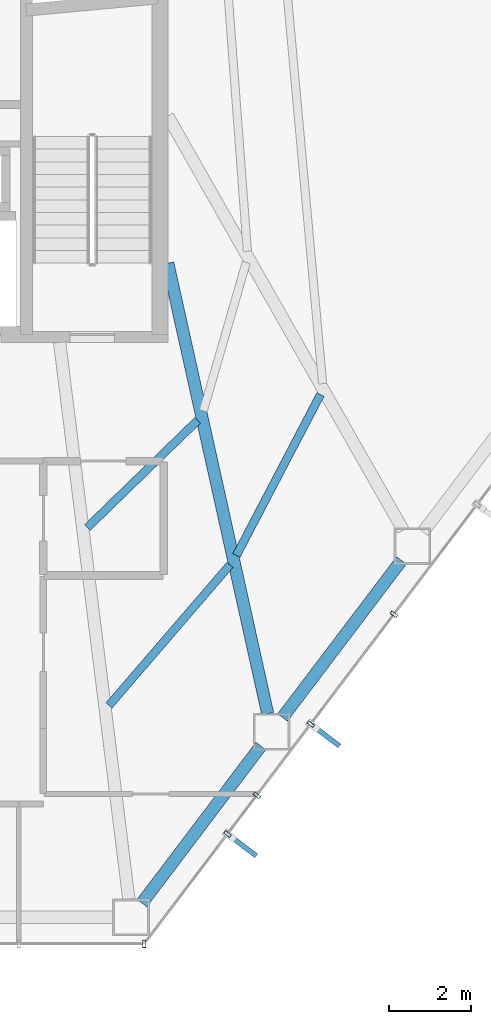
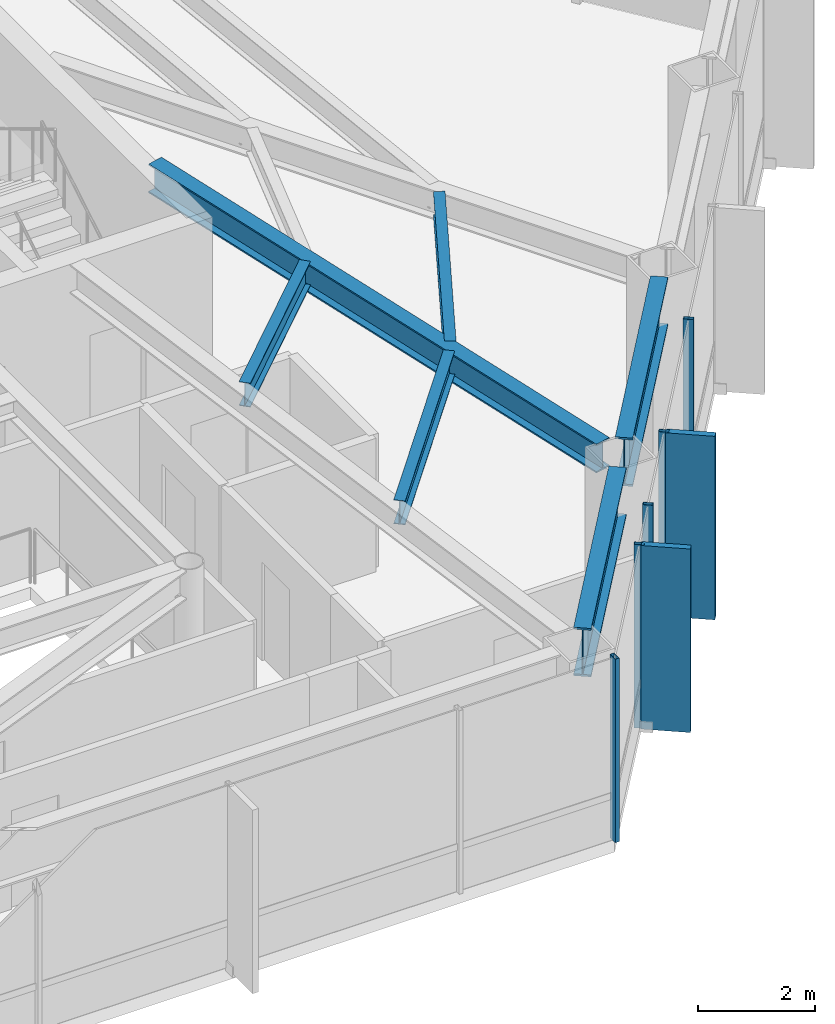
# One storey, part 14 of 24: 7 members, 6 beams, 2 elements without a shape of their own.
"""IFC4 building model written with IfcOpenShell, lengths in metres."""

from ifc_helpers import new_model, si_unit, direction, frame, origin, origin_2d, place, context, subcontext, project, spatial, rectangle, hollow_rectangle, i_section, extrude, material, layer, layer_set, material_profile, profile_set, type_object, element, aggregate, save


model = new_model("IFC4")

# Units and contexts
model_context = context("Model", 3, precision=1e-05, world=origin(), true_north=direction((0.0, 1.0)))
body_context = subcontext(model_context, "Body", "Model", "MODEL_VIEW")
ifc_project = project(units=[si_unit("LENGTHUNIT", "METRE"), si_unit("AREAUNIT", "SQUARE_METRE"), si_unit("VOLUMEUNIT", "CUBIC_METRE"), si_unit("PLANEANGLEUNIT", "RADIAN"), si_unit("MASSUNIT", "GRAM", prefix="KILO")], contexts=[model_context])

# Site, building, storey
site_placement = place(None, origin())
site = spatial("IfcSite", under=ifc_project, at=site_placement, CompositionType="ELEMENT")
building_placement = place(site_placement, origin())
building = spatial("IfcBuilding", under=site, at=building_placement, Name="Zarrinselat Tower", CompositionType="ELEMENT")
storey_placement = place(building_placement, frame((0.0, 0.0, 96.89990234375)))
storey = spatial("IfcBuildingStorey", under=building, at=storey_placement, Name="L23", CompositionType="ELEMENT", Elevation=96.89990234375)

# Beams
ifc_material_1 = material(Name="Steel S355J2", Category="steel")
ifc_material_profile_1 = material_profile(ifc_material_1, i_section(OverallWidth=0.300048828125, OverallDepth=0.60009765625, WebThickness=0.015380859375, FlangeThickness=0.030029296875, at=origin_2d()), Name="HEB 600")
ifc_profile_set_1 = profile_set([ifc_material_profile_1], Name="Steel S355J2")
beam_type_1 = type_object("IfcBeamType", Name="BM-HEB600", PredefinedType="BEAM", material=ifc_profile_set_1)
beam_1_placement = place(storey_placement, frame((48.449951171875, 35.0, 3.52001953125), z_axis=(0.216477682, -0.976287566855, 0.0), x_axis=(0.976287566855, 0.216477682, 0.0)))
element("IfcBeam", 1, at=beam_1_placement, inside=storey, type_object=beam_type_1, Name="L23 Radial Primary Girder RG12", PredefinedType="BEAM", context=body_context, shape_type="SweptSolid", body=[
    extrude(i_section(OverallWidth=0.300048828125, OverallDepth=0.60009765625, WebThickness=0.015380859375, FlangeThickness=0.030029296875, at=origin_2d()), origin(), (0.0, 0.0, 1.0), 11.304931640625),
])
ifc_material_2 = material(Name="Steel S460M", Category="steel")
ifc_material_profile_2 = material_profile(ifc_material_2, i_section(OverallWidth=0.302001953125, OverallDepth=1.008056640625, WebThickness=0.02099609375, FlangeThickness=0.0400390625, at=origin_2d()), Name="HEM 1000")
ifc_profile_set_2 = profile_set([ifc_material_profile_2], Name="Steel S460M")
beam_type_2 = type_object("IfcBeamType", Name="BM-HEM1000", PredefinedType="BEAM", material=ifc_profile_set_2)
beam_2_placement = place(storey_placement, frame((47.8154296875, 19.32470703125, 3.316162109375), z_axis=(0.603852819431, 0.797095836437, 0.0), x_axis=(-0.797095836437, 0.603852819431, 0.0)))
element("IfcBeam", 2, at=beam_2_placement, inside=storey, type_object=beam_type_2, Name="L23 Perimeter Spandrel Girder SP11", PredefinedType="BEAM", context=body_context, shape_type="SweptSolid", body=[
    extrude(i_section(OverallWidth=0.302001953125, OverallDepth=1.008056640625, WebThickness=0.02099609375, FlangeThickness=0.0400390625, at=origin_2d()), origin(), (0.0, 0.0, 1.0), 4.827392578125),
])
beam_3_placement = place(storey_placement, frame((51.259521484375, 23.870849609375, 3.316162109375), z_axis=(0.60382847745, 0.797114276513, 0.0), x_axis=(-0.797114276513, 0.60382847745, 0.0)))
element("IfcBeam", 3, at=beam_3_placement, inside=storey, type_object=beam_type_2, Name="L23 Perimeter Spandrel Girder SP12", PredefinedType="BEAM", context=body_context, shape_type="SweptSolid", body=[
    extrude(i_section(OverallWidth=0.302001953125, OverallDepth=1.008056640625, WebThickness=0.02099609375, FlangeThickness=0.0400390625, at=origin_2d()), origin(), (0.0, 0.0, 1.0), 4.82763671875),
])
ifc_material_3 = material(Name="Steel S355J2", Category="steel")
ifc_material_profile_3 = material_profile(ifc_material_3, i_section(OverallWidth=0.199951171875, OverallDepth=0.5, WebThickness=0.01025390625, FlangeThickness=0.01611328125, at=origin_2d()), Name="IPE 500")
ifc_profile_set_3 = profile_set([ifc_material_profile_3], Name="Steel S355J2")
beam_type_3 = type_object("IfcBeamType", Name="BM-IPE500", PredefinedType="JOIST", material=ifc_profile_set_3)
beam_4_placement = place(storey_placement, frame((47.010009765625, 24.16650390625, 3.570068359375), z_axis=(0.652391980418, 0.757881721568, 0.0), x_axis=(-0.757881721568, 0.652391980418, 0.0)))
element("IfcBeam", 4, at=beam_4_placement, inside=storey, type_object=beam_type_3, Name="L23 Composite Floor Joist 3-1", PredefinedType="JOIST", context=body_context, shape_type="SweptSolid", body=[
    extrude(i_section(OverallWidth=0.199951171875, OverallDepth=0.5, WebThickness=0.01025390625, FlangeThickness=0.01611328125, at=origin_2d()), origin(), (0.0, 0.0, 1.0), 4.54296875),
])
beam_5_placement = place(storey_placement, frame((46.476806640625, 28.521484375, 3.570068359375), z_axis=(0.717164751372, 0.696903665789, 0.0), x_axis=(-0.696903665789, 0.717164751372, 0.0)))
element("IfcBeam", 5, at=beam_5_placement, inside=storey, type_object=beam_type_3, Name="L23 Composite Floor Joist 3-2", PredefinedType="JOIST", context=body_context, shape_type="SweptSolid", body=[
    extrude(i_section(OverallWidth=0.199951171875, OverallDepth=0.5, WebThickness=0.01025390625, FlangeThickness=0.01611328125, at=origin_2d()), origin(), (0.0, 0.0, 1.0), 3.771484375),
])
beam_6_placement = place(storey_placement, frame((50.1298828125, 27.839599609375, 3.570068359375), z_axis=(0.463008406228, 0.886353888558, 0.0), x_axis=(-0.886353888558, 0.463008406228, 0.0)))
element("IfcBeam", 6, at=beam_6_placement, inside=storey, type_object=beam_type_3, Name="L23 Composite Floor Joist 4-1", PredefinedType="JOIST", context=body_context, shape_type="SweptSolid", body=[
    extrude(i_section(OverallWidth=0.199951171875, OverallDepth=0.5, WebThickness=0.01025390625, FlangeThickness=0.01611328125, at=origin_2d()), origin(), (0.0, 0.0, 1.0), 4.450439453125),
])

# Curtain wall, member
ifc_material_4 = material(Name="Extruded Aluminium Alloy EN AW-6063 T6", Category="aluminium")
ifc_layer = layer(ifc_material_4, 0.18505859375)
ifc_layer_set = layer_set([ifc_layer], Name="Extruded Aluminium Alloy EN AW-6063 T6")
curtain_wall_type = type_object("IfcCurtainWallType", Name="CWS-OFF", PredefinedType="NOTDEFINED", material=ifc_layer_set)
curtain_wall_1_placement = place(storey_placement, origin())
curtain_wall_1 = element("IfcCurtainWall", 7, at=curtain_wall_1_placement, inside=storey, type_object=curtain_wall_type, Name="L23 Unitised Curtain Wall CW-L23-E04", PredefinedType="NOTDEFINED")
ifc_material_5 = material(Name="Extruded Aluminium Alloy EN AW-6063 T6", Category="aluminium")
ifc_material_profile_4 = material_profile(ifc_material_5, hollow_rectangle(XDim=0.080078125, YDim=0.179931640625, WallThickness=0.0048828125, at=origin_2d()), Name="RHS 180x80x5")
ifc_profile_set_4 = profile_set([ifc_material_profile_4], Name="Extruded Aluminium Alloy EN AW-6063 T6")
member_type_1 = type_object("IfcMemberType", Name="MEM-CW-MUL", PredefinedType="MULLION", material=ifc_profile_set_4)
member_1_placement = place(storey_placement, frame((47.873779296875, 18.32568359375, 0.0), z_axis=(0.0, 0.0, 1.0), x_axis=(1.0, 0.0, 0.0)))
member_1 = element("IfcMember", 8, at=member_1_placement, type_object=member_type_1, Name="CW-L23-E04 Mullion 5", PredefinedType="MULLION", context=body_context, shape_type="SweptSolid", body=[
    extrude(hollow_rectangle(XDim=0.080078125, YDim=0.179931640625, WallThickness=0.0048828125, at=origin_2d()), origin(), (0.0, 0.0, 1.0), 3.820068359375),
])
aggregate(curtain_wall_1, [member_1])

# Curtain wall, members
curtain_wall_2_placement = place(storey_placement, origin())
curtain_wall_2 = element("IfcCurtainWall", 9, at=curtain_wall_2_placement, inside=storey, type_object=curtain_wall_type, Name="L23 Unitised Curtain Wall CW-L23-E05", PredefinedType="NOTDEFINED")
member_2_placement = place(storey_placement, frame((49.912353515625, 21.016357421875, 0.0), z_axis=(0.0, 0.0, 1.0), x_axis=(0.603858013909, 0.79709190125, 0.0)))
member_2 = element("IfcMember", 10, at=member_2_placement, type_object=member_type_1, Name="CW-L23-E05 Mullion 1", PredefinedType="MULLION", context=body_context, shape_type="SweptSolid", body=[
    extrude(hollow_rectangle(XDim=0.080078125, YDim=0.179931640625, WallThickness=0.0048828125, at=origin_2d()), origin(), (0.0, 0.0, 1.0), 3.820068359375),
])
member_3_placement = place(storey_placement, frame((50.630126953125, 21.9638671875, 0.0), z_axis=(0.0, 0.0, 1.0), x_axis=(0.603858013909, 0.79709190125, 0.0)))
member_3 = element("IfcMember", 11, at=member_3_placement, type_object=member_type_1, Name="CW-L23-E05 Mullion 2", PredefinedType="MULLION", context=body_context, shape_type="SweptSolid", body=[
    extrude(hollow_rectangle(XDim=0.080078125, YDim=0.179931640625, WallThickness=0.0048828125, at=origin_2d()), origin(), (0.0, 0.0, 1.0), 3.820068359375),
])
member_4_placement = place(storey_placement, frame((51.95068359375, 23.70703125, 0.0), z_axis=(0.0, 0.0, 1.0), x_axis=(0.603858013909, 0.79709190125, 0.0)))
member_4 = element("IfcMember", 12, at=member_4_placement, type_object=member_type_1, Name="CW-L23-E05 Mullion 3", PredefinedType="MULLION", context=body_context, shape_type="SweptSolid", body=[
    extrude(hollow_rectangle(XDim=0.080078125, YDim=0.179931640625, WallThickness=0.0048828125, at=origin_2d()), origin(), (0.0, 0.0, 1.0), 3.820068359375),
])
member_5_placement = place(storey_placement, frame((53.989013671875, 26.397705078125, 0.0), z_axis=(0.0, 0.0, 1.0), x_axis=(0.603858013909, 0.79709190125, 0.0)))
member_5 = element("IfcMember", 13, at=member_5_placement, type_object=member_type_1, Name="CW-L23-E05 Mullion 4", PredefinedType="MULLION", context=body_context, shape_type="SweptSolid", body=[
    extrude(hollow_rectangle(XDim=0.080078125, YDim=0.179931640625, WallThickness=0.0048828125, at=origin_2d()), origin(), (0.0, 0.0, 1.0), 3.820068359375),
])
ifc_material_6 = material(Name="Honed Cream Travertine Stone", Category="masonry")
ifc_material_profile_5 = material_profile(ifc_material_6, rectangle(XDim=0.1201171875, YDim=0.85009765625, at=origin_2d()), Name="FIN 850x120")
ifc_profile_set_5 = profile_set([ifc_material_profile_5], Name="Honed Cream Travertine Stone")
member_type_2 = type_object("IfcMemberType", Name="MEM-STONE-FIN", PredefinedType="USERDEFINED", material=ifc_profile_set_5)
member_6_placement = place(storey_placement, frame((50.279052734375, 20.738525390625, 0.0), z_axis=(0.0, 0.0, 1.0), x_axis=(-0.603858013909, -0.79709190125, 0.0)))
member_6 = element("IfcMember", 14, at=member_6_placement, type_object=member_type_2, Name="L23 Stone Shading Fin CW-L23-E05-01", ObjectType="FIN", PredefinedType="USERDEFINED", context=body_context, shape_type="SweptSolid", body=[
    extrude(rectangle(XDim=0.1201171875, YDim=0.85009765625, at=origin_2d()), origin(), (0.0, 0.0, 1.0), 3.820068359375),
])
member_7_placement = place(storey_placement, frame((52.3173828125, 23.42919921875, 0.0), z_axis=(0.0, 0.0, 1.0), x_axis=(-0.603858013909, -0.79709190125, 0.0)))
member_7 = element("IfcMember", 15, at=member_7_placement, type_object=member_type_2, Name="L23 Stone Shading Fin CW-L23-E05-03", ObjectType="FIN", PredefinedType="USERDEFINED", context=body_context, shape_type="SweptSolid", body=[
    extrude(rectangle(XDim=0.1201171875, YDim=0.85009765625, at=origin_2d()), origin(), (0.0, 0.0, 1.0), 3.820068359375),
])
aggregate(curtain_wall_2, [member_2, member_6, member_3, member_4, member_7, member_5])

save(model, "model.ifc")
